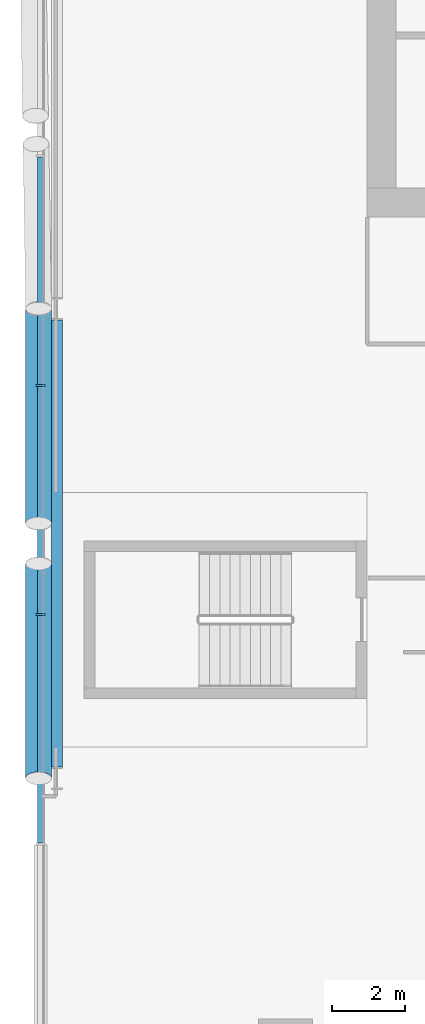
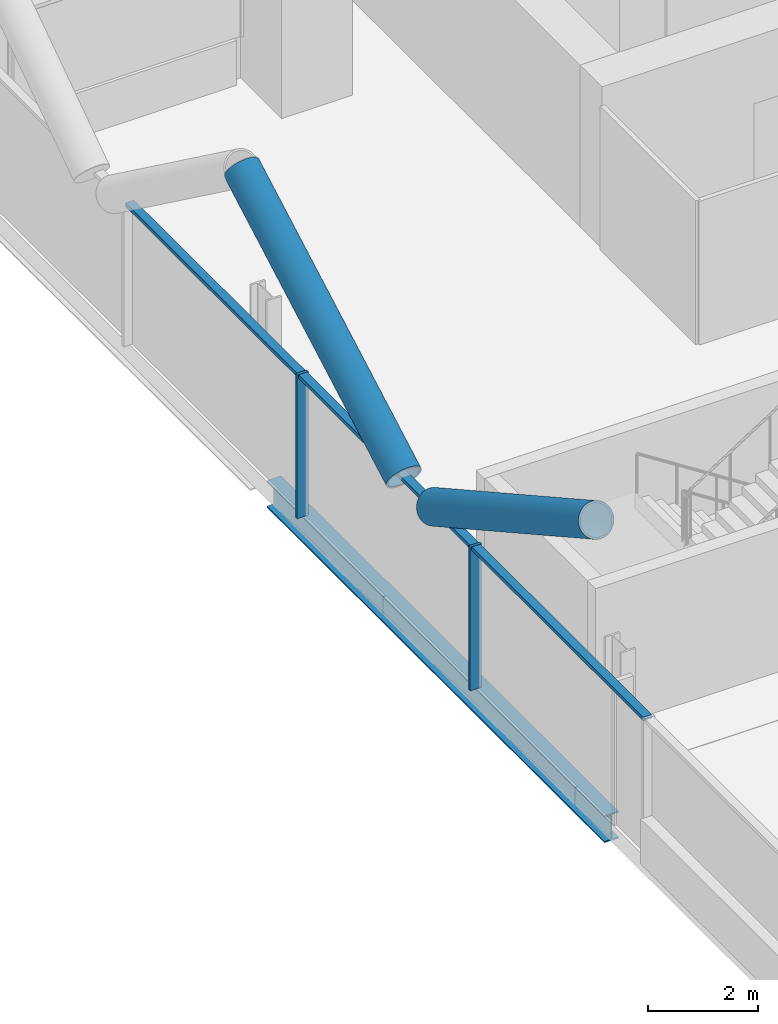
# One storey, part 7 of 27: 7 members, 1 beam, 1 element without a shape of its own.
"""IFC4 building model written with IfcOpenShell, lengths in metres."""

from ifc_helpers import new_model, si_unit, direction, frame, origin, origin_2d, place, context, subcontext, project, spatial, rectangle, hollow_circle, i_section, extrude, material, material_profile, profile_set, type_object, element, aggregate, save


model = new_model("IFC4")

# Units and contexts
model_context = context("Model", 3, precision=1e-05, world=origin(), true_north=direction((0.0, 1.0)))
body_context = subcontext(model_context, "Body", "Model", "MODEL_VIEW")
ifc_project = project(units=[si_unit("LENGTHUNIT", "METRE"), si_unit("AREAUNIT", "SQUARE_METRE"), si_unit("VOLUMEUNIT", "CUBIC_METRE"), si_unit("PLANEANGLEUNIT", "RADIAN"), si_unit("MASSUNIT", "GRAM", prefix="KILO")], contexts=[model_context])

# Site, building, storey
site_placement = place(None, origin())
site = spatial("IfcSite", under=ifc_project, at=site_placement, CompositionType="ELEMENT")
building_placement = place(site_placement, origin())
building = spatial("IfcBuilding", under=site, at=building_placement, Name="Wharfspan Tower", CompositionType="ELEMENT")
storey_placement = place(building_placement, frame((0.0, 0.0, 159.100098)))
storey = spatial("IfcBuildingStorey", under=building, at=storey_placement, Name="L38", CompositionType="ELEMENT", Elevation=159.100098)

# Beam
ifc_material_1 = material(Name="Steel S355J2", Category="steel")
ifc_material_profile_1 = material_profile(ifc_material_1, i_section(OverallWidth=0.300049, OverallDepth=0.600098, WebThickness=0.015381, FlangeThickness=0.030029, FilletRadius=0.0271, at=origin_2d()))
ifc_profile_set_1 = profile_set([ifc_material_profile_1], Name="Steel S355J2")
beam_type = type_object("IfcBeamType", Name="Edge beam HEB 600", PredefinedType="SPANDREL", material=ifc_profile_set_1)
beam_placement = place(storey_placement, frame((7.449951, 31.160645, -0.700195), z_axis=(0.0, -1.0, 0.0), x_axis=(1.0, 0.0, 0.0)))
element("IfcBeam", 1, at=beam_placement, inside=storey, type_object=beam_type, Name="Edge beam W L38 PW.1 to PW.2", PredefinedType="SPANDREL", context=body_context, shape_type="SweptSolid", body=[
    extrude(i_section(OverallWidth=0.300049, OverallDepth=0.600098, WebThickness=0.015381, FlangeThickness=0.030029, FilletRadius=0.0271, at=origin_2d()), origin(), (0.0, 0.0, 1.0), 12.321289),
])

# Curtain wall, members
ifc_material_2 = material(Name="Aluminium 6063-T6", Category="aluminium")
curtain_wall_type = type_object("IfcCurtainWallType", Name="CURTAIN WALL PROW AND END", PredefinedType="NOTDEFINED", material=ifc_material_2)
curtain_wall_placement = place(storey_placement, origin())
curtain_wall = element("IfcCurtainWall", 2, at=curtain_wall_placement, inside=storey, type_object=curtain_wall_type, Name="Curtain wall W", PredefinedType="NOTDEFINED")
ifc_material_profile_2 = material_profile(ifc_material_2, rectangle(XDim=0.23999, YDim=0.060059, at=origin_2d()))
ifc_profile_set_2 = profile_set([ifc_material_profile_2], Name="Aluminium 6063-T6")
member_type_1 = type_object("IfcMemberType", Name="MULLION PROW AND END 60x240", PredefinedType="MULLION", material=ifc_profile_set_2)
member_1_placement = place(storey_placement, frame((7.0, 29.360107, 0.0), z_axis=(0.0, 0.0, 1.0), x_axis=(1.0, 0.0, 0.0)))
member_1 = element("IfcMember", 3, at=member_1_placement, type_object=member_type_1, Name="Curtain wall W mullion 3", PredefinedType="MULLION", context=body_context, shape_type="SweptSolid", body=[
    extrude(rectangle(XDim=0.23999, YDim=0.060059, at=origin_2d()), origin(), (0.0, 0.0, 1.0), 3.199951),
])
member_2_placement = place(storey_placement, frame((7.0, 23.040039, 0.0), z_axis=(0.0, 0.0, 1.0), x_axis=(1.0, 0.0, 0.0)))
member_2 = element("IfcMember", 4, at=member_2_placement, type_object=member_type_1, Name="Curtain wall W mullion 4", PredefinedType="MULLION", context=body_context, shape_type="SweptSolid", body=[
    extrude(rectangle(XDim=0.23999, YDim=0.060059, at=origin_2d()), origin(), (0.0, 0.0, 1.0), 3.199951),
])

# Members
ifc_material_3 = material(Name="Steel S460NH", Category="steel")
ifc_material_profile_3 = material_profile(ifc_material_3, hollow_circle(Radius=0.355469, WallThickness=0.035889, at=origin_2d()))
ifc_profile_set_3 = profile_set([ifc_material_profile_3], Name="Steel S460NH")
member_type_2 = type_object("IfcMemberType", Name="Mega brace CHS 711x36", PredefinedType="BRACE", material=ifc_profile_set_3)
for number, where, z_axis, x_axis, name in (
    (5, (6.945068, 24.445557, 3.208496), (0.0, -0.873718, 0.486433), (1.0, 0.0, 0.0), "Mega brace W3 L38 part 2"),
    (6, (6.945068, 25.554443, 3.208496), (0.0, 0.873718, 0.486433), (-1.0, 0.0, 0.0), "Mega brace W3 L38 part 4"),
):
    element("IfcMember", number, at=place(storey_placement, frame(where, z_axis=z_axis, x_axis=x_axis)), inside=storey, type_object=member_type_2, Name=name, PredefinedType="BRACE", context=body_context, shape_type="SweptSolid", body=[
        extrude(hollow_circle(Radius=0.355469, WallThickness=0.035889, at=origin_2d()), origin(), (0.0, 0.0, 1.0), 6.766602),
    ])

# Member
ifc_material_profile_4 = material_profile(ifc_material_2, rectangle(XDim=0.179932, YDim=0.080078, at=origin_2d()))
ifc_profile_set_4 = profile_set([ifc_material_profile_4], Name="Aluminium 6063-T6")
member_type_3 = type_object("IfcMemberType", Name="TRANSOM PROW AND END 80x180", PredefinedType="USERDEFINED", material=ifc_profile_set_4)
member_3_placement = place(storey_placement, frame((7.0, 35.649902, 3.159912), z_axis=(0.0, -1.0, 0.0), x_axis=(1.0, 0.0, 0.0)))
member_3 = element("IfcMember", 7, at=member_3_placement, type_object=member_type_3, Name="Curtain wall W transom 2", ObjectType="TRANSOM", PredefinedType="USERDEFINED", context=body_context, shape_type="SweptSolid", body=[
    extrude(rectangle(XDim=0.179932, YDim=0.080078, at=origin_2d()), origin(), (0.0, 0.0, 1.0), 6.26001),
])

member_4_placement = place(storey_placement, frame((7.0, 29.330078, 3.159912), z_axis=(0.0, -1.0, 0.0), x_axis=(1.0, 0.0, 0.0)))
member_4 = element("IfcMember", 8, at=member_4_placement, type_object=member_type_3, Name="Curtain wall W transom 3", ObjectType="TRANSOM", PredefinedType="USERDEFINED", context=body_context, shape_type="SweptSolid", body=[
    extrude(rectangle(XDim=0.179932, YDim=0.080078, at=origin_2d()), origin(), (0.0, 0.0, 1.0), 6.26001),
])

member_5_placement = place(storey_placement, frame((7.0, 23.01001, 3.159912), z_axis=(0.0, -1.0, 0.0), x_axis=(1.0, 0.0, 0.0)))
member_5 = element("IfcMember", 9, at=member_5_placement, type_object=member_type_3, Name="Curtain wall W transom 4", ObjectType="TRANSOM", PredefinedType="USERDEFINED", context=body_context, shape_type="SweptSolid", body=[
    extrude(rectangle(XDim=0.179932, YDim=0.080078, at=origin_2d()), origin(), (0.0, 0.0, 1.0), 6.26001),
])

aggregate(curtain_wall, [member_1, member_2, member_3, member_4, member_5])

save(model, "model.ifc")
